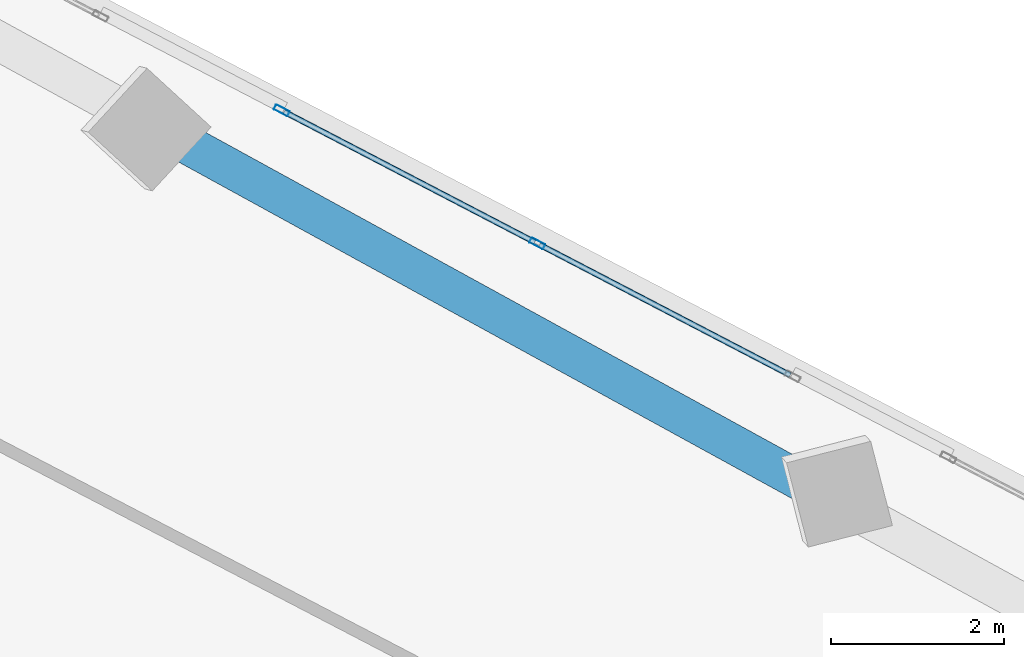
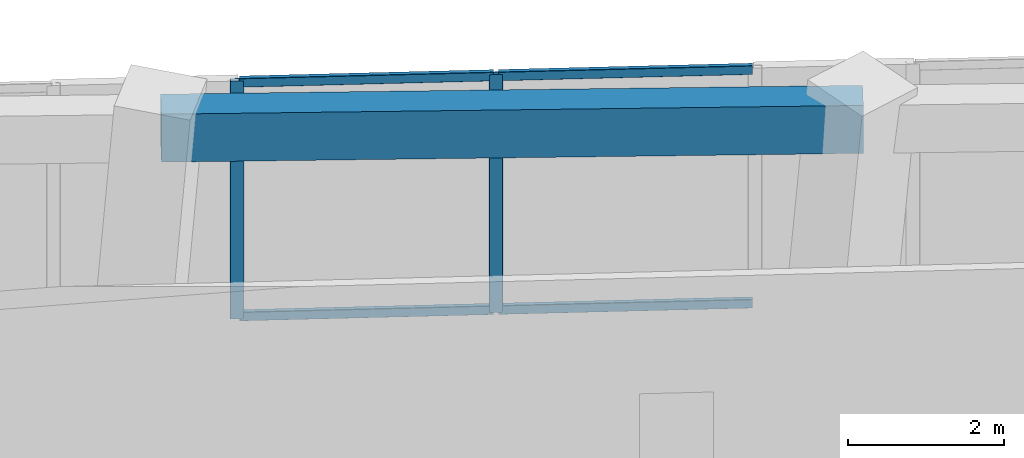
# One storey, part 13 of 22: 6 members, 1 beam, 1 element without a shape of its own.
"""IFC4 building model written with IfcOpenShell, lengths in metres."""

from ifc_helpers import new_model, si_unit, direction, frame, origin, origin_2d, place, context, subcontext, project, spatial, rectangle, hollow_rectangle, extrude, source, transform, mapped, material, material_profile, profile_set, type_object, element, aggregate, save


model = new_model("IFC4")

# Units and contexts
model_context = context("Model", 3, precision=1e-05, world=origin(), true_north=direction((0.0, 1.0)))
body_context = subcontext(model_context, "Body", "Model", "MODEL_VIEW")
ifc_project = project(units=[si_unit("LENGTHUNIT", "METRE"), si_unit("AREAUNIT", "SQUARE_METRE"), si_unit("VOLUMEUNIT", "CUBIC_METRE"), si_unit("PLANEANGLEUNIT", "RADIAN"), si_unit("MASSUNIT", "GRAM", prefix="KILO")], contexts=[model_context])

# Site, building, storey
site_placement = place(None, origin())
site = spatial("IfcSite", under=ifc_project, at=site_placement, CompositionType="ELEMENT")
building_placement = place(site_placement, origin())
building = spatial("IfcBuilding", under=site, at=building_placement, Name="Torre Montelarca", CompositionType="ELEMENT")
storey_placement = place(building_placement, frame((0.0, 0.0, 170.800048828125)))
storey = spatial("IfcBuildingStorey", under=building, at=storey_placement, Name="L38", CompositionType="ELEMENT", Elevation=170.800048828125)

# Beam
ifc_material_1 = material(Name="Concrete C55/67", Category="concrete")
ifc_material_profile_1 = material_profile(ifc_material_1, rectangle(XDim=0.449951171875, YDim=0.75, at=origin_2d()), Name="RCB450X750", Category="concrete")
ifc_profile_set_1 = profile_set([ifc_material_profile_1], Name="Concrete C55/67")
beam_type = type_object("IfcBeamType", Name="BM-SP-RC750-EXT", PredefinedType="SPANDREL", material=ifc_profile_set_1)
shared_shape_1 = source(origin(), body_context, "Body", "SweptSolid", [
    extrude(rectangle(XDim=0.449951171875, YDim=0.75, at=origin_2d()), origin(), (0.0, 0.0, 1.0), 8.999755859375),
])
beam_placement = place(storey_placement, frame((25.718505859375, 46.9658203125, 3.5849609375), z_axis=(0.87672458867, -0.480992718887, 0.0), x_axis=(0.480992718887, 0.87672458867, 0.0)))
element("IfcBeam", 1, at=beam_placement, inside=storey, type_object=beam_type, Name="L38 Grid Girder X 18.0-27.0 at Y=47.1", PredefinedType="SPANDREL", context=body_context, shape_type="MappedRepresentation", body=[
    mapped(shared_shape_1, transform((0.0, 0.0, 0.0), scale=1.0)),
])

# Curtain wall, members
ifc_material_2 = material(Name="Insulated low-E laminated glass", Category="glass")
curtain_wall_type = type_object("IfcCurtainWallType", Name="CW-SYS-Z2", PredefinedType="USERDEFINED", material=ifc_material_2)
curtain_wall_placement = place(storey_placement, origin())
curtain_wall = element("IfcCurtainWall", 2, at=curtain_wall_placement, inside=storey, type_object=curtain_wall_type, Name="L38 Curtain Wall Run CW-T3-L38-E08-B3", ObjectType="UNITISED GLAZING", PredefinedType="USERDEFINED")
ifc_material_3 = material(Name="Anodised aluminium AA 6063-T6", Category="aluminium")
ifc_material_profile_2 = material_profile(ifc_material_3, hollow_rectangle(XDim=0.06494140625, YDim=0.179931640625, WallThickness=0.00390625, InnerFilletRadius=0.00390625, OuterFilletRadius=0.008056640625, at=origin_2d()), Name="ALU65X180X4", Category="aluminium")
ifc_profile_set_2 = profile_set([ifc_material_profile_2], Name="Anodised aluminium AA 6063-T6")
member_type_1 = type_object("IfcMemberType", Name="CWM-ALU180", PredefinedType="MULLION", material=ifc_profile_set_2)
shared_shape_2 = source(origin(), body_context, "Body", "SweptSolid", [
    extrude(hollow_rectangle(XDim=0.06494140625, YDim=0.179931640625, WallThickness=0.00390625, InnerFilletRadius=0.00390625, OuterFilletRadius=0.008056640625, at=origin_2d()), origin(), (0.0, 0.0, 1.0), 3.719970703125),
])
member_1_placement = place(storey_placement, frame((29.954345703125, 45.716064453125, 0.0), z_axis=(0.0, 0.0, 1.0), x_axis=(-0.461744115846, -0.887013174356, 0.0)))
member_1 = element("IfcMember", 3, at=member_1_placement, type_object=member_type_1, Name="CW mullion 2", PredefinedType="MULLION", context=body_context, shape_type="MappedRepresentation", body=[
    mapped(shared_shape_2, transform((0.0, 0.0, 0.0), scale=1.0)),
])
member_2_placement = place(storey_placement, frame((27.0078125, 47.25, 0.0), z_axis=(0.0, 0.0, 1.0), x_axis=(-0.461744115846, -0.887013174356, 0.0)))
member_2 = element("IfcMember", 4, at=member_2_placement, type_object=member_type_1, Name="CW mullion 3", PredefinedType="MULLION", context=body_context, shape_type="MappedRepresentation", body=[
    mapped(shared_shape_2, transform((0.0, 0.0, 0.0), scale=1.0)),
])
ifc_material_profile_3 = material_profile(ifc_material_3, hollow_rectangle(XDim=0.06494140625, YDim=0.139892578125, WallThickness=0.00390625, InnerFilletRadius=0.00390625, OuterFilletRadius=0.008056640625, at=origin_2d()), Name="ALU65X140X4", Category="aluminium")
ifc_profile_set_3 = profile_set([ifc_material_profile_3], Name="Anodised aluminium AA 6063-T6")
member_type_2 = type_object("IfcMemberType", Name="CWT-ALU140", PredefinedType="USERDEFINED", material=ifc_profile_set_3)
shared_shape_3 = source(origin(), body_context, "Body", "SweptSolid", [
    extrude(hollow_rectangle(XDim=0.06494140625, YDim=0.139892578125, WallThickness=0.00390625, InnerFilletRadius=0.00390625, OuterFilletRadius=0.008056640625, at=origin_2d()), origin(), (0.0, 0.0, 1.0), 3.256591796875),
])
member_3_placement = place(storey_placement, frame((32.871826171875, 44.197265625, 0.032470703125), z_axis=(-0.887021559524, 0.461728007531, 0.0), x_axis=(-0.461728007531, -0.887021559524, 0.0)))
member_3 = element("IfcMember", 5, at=member_3_placement, type_object=member_type_2, Name="CW transom 1.1", ObjectType="TRANSOM", PredefinedType="USERDEFINED", context=body_context, shape_type="MappedRepresentation", body=[
    mapped(shared_shape_3, transform((0.0, 0.0, 0.0), scale=1.0)),
])
member_4_placement = place(storey_placement, frame((32.871826171875, 44.197265625, 3.6875), z_axis=(-0.887021559524, 0.461728007531, 0.0), x_axis=(-0.461728007531, -0.887021559524, 0.0)))
member_4 = element("IfcMember", 6, at=member_4_placement, type_object=member_type_2, Name="CW transom 1.2", ObjectType="TRANSOM", PredefinedType="USERDEFINED", context=body_context, shape_type="MappedRepresentation", body=[
    mapped(shared_shape_3, transform((0.0, 0.0, 0.0), scale=1.0)),
])
shared_shape_4 = source(origin(), body_context, "Body", "SweptSolid", [
    extrude(hollow_rectangle(XDim=0.06494140625, YDim=0.139892578125, WallThickness=0.00390625, InnerFilletRadius=0.00390625, OuterFilletRadius=0.008056640625, at=origin_2d()), origin(), (0.0, 0.0, 1.0), 3.2568359375),
])
member_5_placement = place(storey_placement, frame((29.925537109375, 45.73095703125, 0.032470703125), z_axis=(-0.887006839097, 0.461756285713, 0.0), x_axis=(-0.461756285713, -0.887006839097, 0.0)))
member_5 = element("IfcMember", 7, at=member_5_placement, type_object=member_type_2, Name="CW transom 2.1", ObjectType="TRANSOM", PredefinedType="USERDEFINED", context=body_context, shape_type="MappedRepresentation", body=[
    mapped(shared_shape_4, transform((0.0, 0.0, 0.0), scale=1.0)),
])
member_6_placement = place(storey_placement, frame((29.925537109375, 45.73095703125, 3.6875), z_axis=(-0.887006839097, 0.461756285713, 0.0), x_axis=(-0.461756285713, -0.887006839097, 0.0)))
member_6 = element("IfcMember", 8, at=member_6_placement, type_object=member_type_2, Name="CW transom 2.2", ObjectType="TRANSOM", PredefinedType="USERDEFINED", context=body_context, shape_type="MappedRepresentation", body=[
    mapped(shared_shape_4, transform((0.0, 0.0, 0.0), scale=1.0)),
])
aggregate(curtain_wall, [member_1, member_2, member_3, member_4, member_5, member_6])

save(model, "model.ifc")
